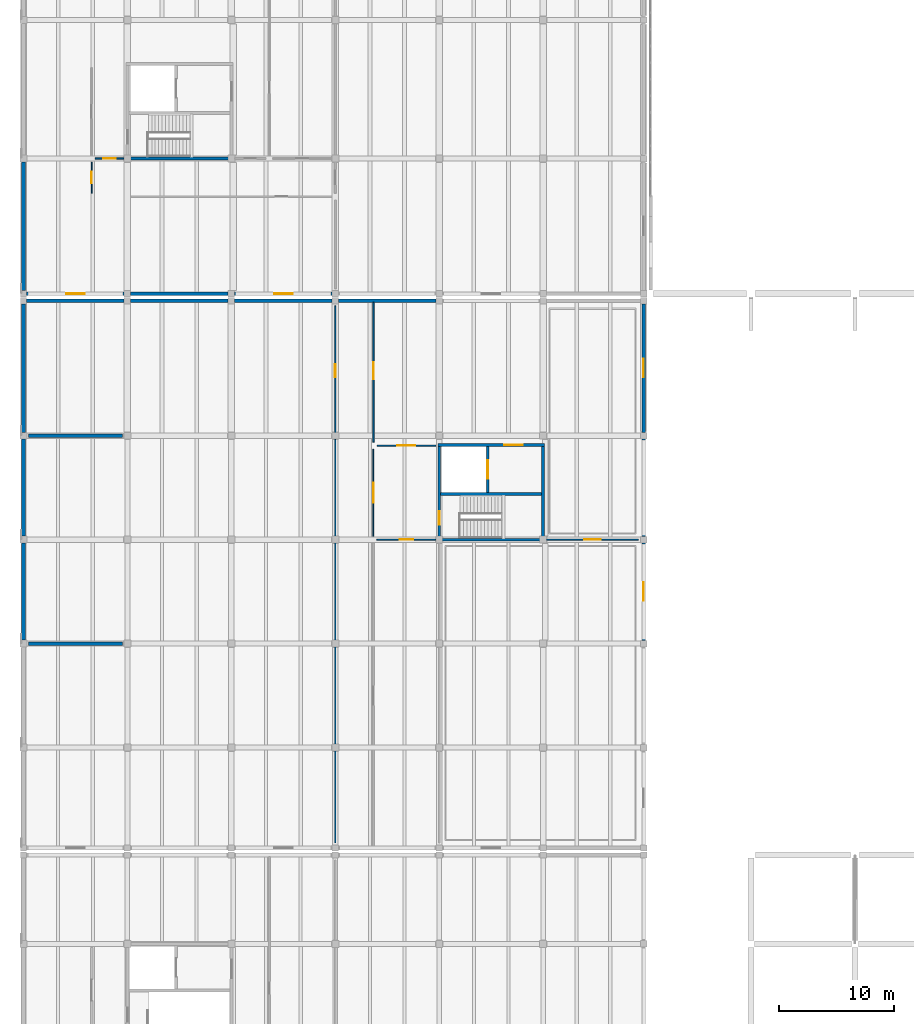
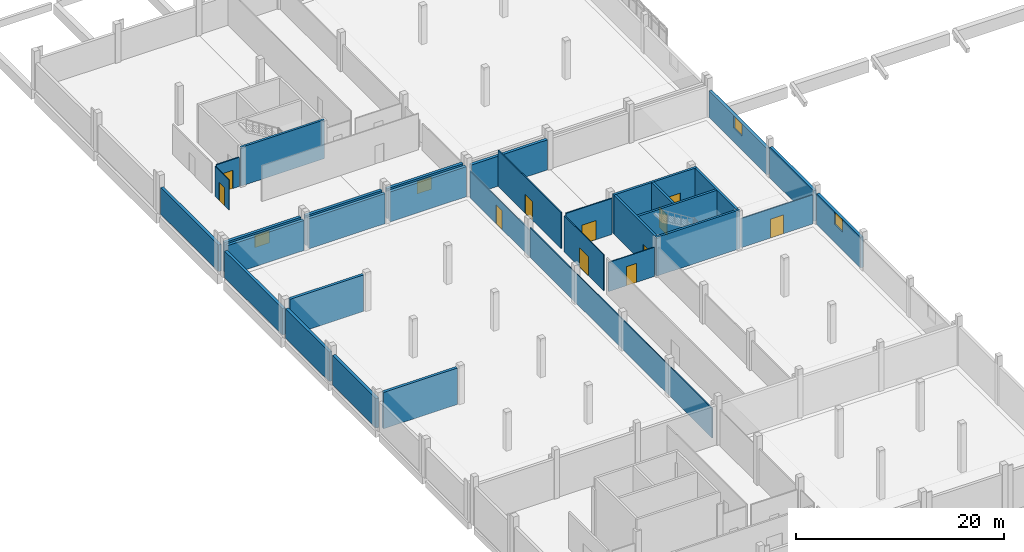
# One storey, part 37 of 63: 32 walls, 11 doors, 4 windows, 15 openings.
"""IFC4 building model written with IfcOpenShell, lengths in metres."""

from ifc_helpers import new_model, si_unit, direction, frame, frame_2d, origin, place, context, subcontext, project, spatial, rectangle, extrude, material, layer, layer_set, type_object, element, fill, save


model = new_model("IFC4")

# Units and contexts
model_context = context("Model", 3, precision=1e-05, world=origin(), true_north=direction((0.0, 1.0)))
body_context = subcontext(model_context, "Body", "Model", "MODEL_VIEW")
ifc_project = project(units=[si_unit("LENGTHUNIT", "METRE"), si_unit("AREAUNIT", "SQUARE_METRE"), si_unit("VOLUMEUNIT", "CUBIC_METRE"), si_unit("PLANEANGLEUNIT", "RADIAN"), si_unit("MASSUNIT", "GRAM", prefix="KILO")], contexts=[model_context])

# Site, building, storey
site_placement = place(None, origin())
site = spatial("IfcSite", under=ifc_project, at=site_placement, CompositionType="ELEMENT")
building_placement = place(site_placement, origin())
building = spatial("IfcBuilding", under=site, at=building_placement, Name="Zacnel Wholesale Market", CompositionType="ELEMENT")
storey_placement = place(building_placement, frame((0.0, 0.0, 11.199951171875)))
storey = spatial("IfcBuildingStorey", under=building, at=storey_placement, Name="L03", CompositionType="ELEMENT", Elevation=11.199951171875)

# Wall
ifc_material_1 = material(Name="Concrete C40/50", Category="concrete")
ifc_layer_1 = layer(ifc_material_1, 0.25)
ifc_layer_set_1 = layer_set([ifc_layer_1], Name="Concrete C40/50")
wall_type_1 = type_object("IfcWallType", Name="WL-CORE-SW250", PredefinedType="SOLIDWALL", material=ifc_layer_set_1)
wall_1_placement = place(storey_placement, frame((53.875, 75.0, 0.0), z_axis=(0.0, 0.0, 1.0), x_axis=(1.0, 0.0, 0.0)))
element("IfcWall", 1, at=wall_1_placement, inside=storey, type_object=wall_type_1, Name="Core C4 south shear wall L03", PredefinedType="SOLIDWALL", context=body_context, shape_type="SweptSolid", body=[
    extrude(rectangle(XDim=9.25, YDim=0.25, at=frame_2d((4.625, 0.0))), origin(), (0.0, 0.0, 1.0), 4.550048828125),
])

# Wall, opening, door
wall_2_placement = place(storey_placement, frame((53.875, 83.199951171875, 0.0), z_axis=(0.0, 0.0, 1.0), x_axis=(1.0, 0.0, 0.0)))
wall_2 = element("IfcWall", 2, at=wall_2_placement, inside=storey, type_object=wall_type_1, Name="Core C4 north shear wall L03", PredefinedType="SOLIDWALL", context=body_context, shape_type="SweptSolid", body=[
    extrude(rectangle(XDim=9.25, YDim=0.25, at=frame_2d((4.625, 0.0))), origin(), (0.0, 0.0, 1.0), 4.550048828125),
])
opening_1_placement = place(wall_2_placement, frame((5.77490234375, 0.0, 0.0)))
opening_1 = element("IfcOpeningElement", 3, at=opening_1_placement, cuts=wall_2, Name="Opening FD-02", PredefinedType="OPENING", context=body_context, shape_type="SweptSolid", body=[
    extrude(rectangle(XDim=1.60009765625, YDim=2.199951171875, at=frame_2d((0.800048828125, 1.10009765625))), frame((0.0, 0.135009765625, 0.0), z_axis=(0.0, -1.0, 0.0), x_axis=(1.0, 0.0, 0.0)), (0.0, 0.0, 1.0), 0.27001953125),
])
ifc_material_2 = material(Name="Galvanized steel", Category="steel")
door_type_1 = type_object("IfcDoorType", Name="DR-FIRE-LOBBY-1600", OperationType="NOTDEFINED", PredefinedType="DOOR", material=ifc_material_2)
door_1_placement = place(opening_1_placement, origin())
door_1 = element("IfcDoor", 4, at=door_1_placement, inside=storey, type_object=door_type_1, Name="Core lift lobby fire door C4 L03", OperationType="SINGLE_SWING_RIGHT", OverallHeight=2.199951171875, OverallWidth=1.60009765625, PredefinedType="DOOR", context=body_context, shape_type="SweptSolid", body=[
    extrude(rectangle(XDim=1.60009765625, YDim=2.199951171875, at=frame_2d((0.800048828125, 1.10009765625))), frame((0.0, 0.02490234375, 0.0), z_axis=(0.0, -1.0, 0.0), x_axis=(1.0, 0.0, 0.0)), (0.0, 0.0, 1.0), 0.050048828125),
])
fill(opening_1, door_1)

wall_3_placement = place(storey_placement, frame((54.0, 75.125, 0.0), z_axis=(0.0, 0.0, 1.0), x_axis=(0.0, 1.0, 0.0)))
wall_3 = element("IfcWall", 5, at=wall_3_placement, inside=storey, type_object=wall_type_1, Name="Core C4 west shear wall L03", PredefinedType="SOLIDWALL", context=body_context, shape_type="SweptSolid", body=[
    extrude(rectangle(XDim=7.949951171875, YDim=0.25, at=frame_2d((3.97509765625, 0.0))), origin(), (0.0, 0.0, 1.0), 4.550048828125),
])
opening_2_placement = place(wall_3_placement, frame((1.14990234375, 0.0, 0.0)))
opening_2 = element("IfcOpeningElement", 6, at=opening_2_placement, cuts=wall_3, Name="Opening FD-01", PredefinedType="OPENING", context=body_context, shape_type="SweptSolid", body=[
    extrude(rectangle(XDim=1.199951171875, YDim=2.199951171875, at=frame_2d((0.60009765625, 1.10009765625))), frame((0.0, 0.135009765625, 0.0), z_axis=(0.0, -1.0, 0.0), x_axis=(1.0, 0.0, 0.0)), (0.0, 0.0, 1.0), 0.27001953125),
])
ifc_material_3 = material(Name="Galvanized steel", Category="steel")
door_type_2 = type_object("IfcDoorType", Name="DR-FIRE-STAIR-1200", OperationType="NOTDEFINED", PredefinedType="DOOR", material=ifc_material_3)
door_2_placement = place(opening_2_placement, origin())
door_2 = element("IfcDoor", 7, at=door_2_placement, inside=storey, type_object=door_type_2, Name="Protected stair fire door C4 L03", OperationType="SINGLE_SWING_LEFT", OverallHeight=2.199951171875, OverallWidth=1.199951171875, PredefinedType="DOOR", context=body_context, shape_type="SweptSolid", body=[
    extrude(rectangle(XDim=1.199951171875, YDim=2.199951171875, at=frame_2d((0.60009765625, 1.10009765625))), frame((0.0, 0.02490234375, 0.0), z_axis=(0.0, -1.0, 0.0), x_axis=(1.0, 0.0, 0.0)), (0.0, 0.0, 1.0), 0.050048828125),
])
fill(opening_2, door_2)

# Walls
wall_4_placement = place(storey_placement, frame((63.0, 75.125, 0.0), z_axis=(0.0, 0.0, 1.0), x_axis=(0.0, 1.0, 0.0)))
element("IfcWall", 8, at=wall_4_placement, inside=storey, type_object=wall_type_1, Name="Core C4 east shear wall L03", PredefinedType="SOLIDWALL", context=body_context, shape_type="SweptSolid", body=[
    extrude(rectangle(XDim=7.949951171875, YDim=0.25, at=frame_2d((3.97509765625, 0.0))), origin(), (0.0, 0.0, 1.0), 4.550048828125),
])
wall_5_placement = place(storey_placement, frame((54.125, 78.949951171875, 0.0), z_axis=(0.0, 0.0, 1.0), x_axis=(1.0, 0.0, 0.0)))
element("IfcWall", 9, at=wall_5_placement, inside=storey, type_object=wall_type_1, Name="Core C4 stair-shaft shear wall L03", PredefinedType="SOLIDWALL", context=body_context, shape_type="SweptSolid", body=[
    extrude(rectangle(XDim=8.75, YDim=0.25, at=frame_2d((4.375, 0.0))), origin(), (0.0, 0.0, 1.0), 4.550048828125),
])

# Wall, opening, door
wall_6_placement = place(storey_placement, frame((58.199951171875, 79.074951171875, 0.0), z_axis=(0.0, 0.0, 1.0), x_axis=(0.0, 1.0, 0.0)))
wall_6 = element("IfcWall", 10, at=wall_6_placement, inside=storey, type_object=wall_type_1, Name="Core C4 lift shaft front wall L03", PredefinedType="SOLIDWALL", context=body_context, shape_type="SweptSolid", body=[
    extrude(rectangle(XDim=4.0, YDim=0.25, at=frame_2d((2.0, 0.0))), origin(), (0.0, 0.0, 1.0), 4.550048828125),
])
opening_3_placement = place(wall_6_placement, frame((1.199951171875, 0.0, 0.0)))
opening_3 = element("IfcOpeningElement", 11, at=opening_3_placement, cuts=wall_6, Name="Opening LD-02", PredefinedType="OPENING", context=body_context, shape_type="SweptSolid", body=[
    extrude(rectangle(XDim=1.60009765625, YDim=2.39990234375, at=frame_2d((0.800048828125, 1.199951171875))), frame((0.0, 0.135009765625, 0.0), z_axis=(0.0, -1.0, 0.0), x_axis=(1.0, 0.0, 0.0)), (0.0, 0.0, 1.0), 0.27001953125),
])
ifc_material_4 = material(Name="Galvanized steel", Category="steel")
door_type_3 = type_object("IfcDoorType", Name="DR-LIFT-GOODS-1600", OperationType="NOTDEFINED", PredefinedType="DOOR", material=ifc_material_4)
door_3_placement = place(opening_3_placement, origin())
door_3 = element("IfcDoor", 12, at=door_3_placement, inside=storey, type_object=door_type_3, Name="Lift landing door LG-02 L03", OperationType="SLIDING_TO_LEFT", OverallHeight=2.39990234375, OverallWidth=1.60009765625, PredefinedType="DOOR", context=body_context, shape_type="SweptSolid", body=[
    extrude(rectangle(XDim=1.60009765625, YDim=2.39990234375, at=frame_2d((0.800048828125, 1.199951171875))), frame((0.0, 0.02490234375, 0.0), z_axis=(0.0, -1.0, 0.0), x_axis=(1.0, 0.0, 0.0)), (0.0, 0.0, 1.0), 0.050048828125),
])
fill(opening_3, door_3)

# Walls
wall_7_placement = place(storey_placement, frame((26.875, 108.0, 0.0), z_axis=(0.0, 0.0, 1.0), x_axis=(1.0, 0.0, 0.0)))
element("IfcWall", 13, at=wall_7_placement, inside=storey, type_object=wall_type_1, Name="Core C5 south shear wall L03", PredefinedType="SOLIDWALL", context=body_context, shape_type="SweptSolid", body=[
    extrude(rectangle(XDim=9.25, YDim=0.25, at=frame_2d((4.625, 0.0))), origin(), (0.0, 0.0, 1.0), 4.550048828125),
])
ifc_material_5 = material(Name="Precast concrete C40/50 (insulated sandwich panel)", Category="concrete")
ifc_layer_2 = layer(ifc_material_5, 0.320068359375)
ifc_layer_set_2 = layer_set([ifc_layer_2], Name="Precast concrete C40/50 (insulated sandwich panel)")
wall_type_2 = type_object("IfcWallType", Name="WL-EXT-COLD-320", PredefinedType="SOLIDWALL", material=ifc_layer_set_2)
for number, where, z_axis, x_axis, name in (
    (14, (18.27490234375, 95.699951171875, 0.0), (0.0, 0.0, 1.0), (1.0, 0.0, 0.0), "Exterior wall L03-0333"),
    (15, (27.27490234375, 95.699951171875, 0.0), (0.0, 0.0, 1.0), (1.0, 0.0, 0.0), "Exterior wall L03-0334"),
    (16, (36.27490234375, 95.699951171875, 0.0), (0.0, 0.0, 1.0), (1.0, 0.0, 0.0), "Exterior wall L03-0335"),
    (17, (45.27490234375, 95.699951171875, 0.0), (0.0, 0.0, 1.0), (1.0, 0.0, 0.0), "Exterior wall L03-0336"),
):
    element("IfcWall", number, at=place(storey_placement, frame(where, z_axis=z_axis, x_axis=x_axis)), inside=storey, type_object=wall_type_2, Name=name, PredefinedType="SOLIDWALL", context=body_context, shape_type="SweptSolid", body=[
        extrude(rectangle(XDim=8.4501953125, YDim=0.320068359375, at=frame_2d((4.22509765625, 0.0))), origin(), (0.0, 0.0, 1.0), 3.52001953125),
    ])
for number, where, z_axis, x_axis, name in (
    (18, (18.0, 66.300048828125, 0.0), (0.0, 0.0, 1.0), (0.0, 1.0, 0.0), "Exterior wall L03-0341"),
    (19, (18.0, 75.300048828125, 0.0), (0.0, 0.0, 1.0), (0.0, 1.0, 0.0), "Exterior wall L03-0342"),
):
    element("IfcWall", number, at=place(storey_placement, frame(where, z_axis=z_axis, x_axis=x_axis)), inside=storey, type_object=wall_type_2, Name=name, PredefinedType="SOLIDWALL", context=body_context, shape_type="SweptSolid", body=[
        extrude(rectangle(XDim=8.39990234375, YDim=0.320068359375, at=frame_2d((4.199951171875, 0.0))), origin(), (0.0, 0.0, 1.0), 3.469970703125),
    ])
wall_8_placement = place(storey_placement, frame((18.0, 84.300048828125, 0.0), z_axis=(0.0, 0.0, 1.0), x_axis=(0.0, 1.0, 0.0)))
element("IfcWall", 20, at=wall_8_placement, inside=storey, type_object=wall_type_2, Name="Exterior wall L03-0343", PredefinedType="SOLIDWALL", context=body_context, shape_type="SweptSolid", body=[
    extrude(rectangle(XDim=11.125, YDim=0.320068359375, at=frame_2d((5.5625, 0.0))), origin(), (0.0, 0.0, 1.0), 3.1201171875),
])

# Wall, opening, window
wall_9_placement = place(storey_placement, frame((71.699951171875, 66.27490234375, 0.0), z_axis=(0.0, 0.0, 1.0), x_axis=(0.0, 1.0, 0.0)))
wall_9 = element("IfcWall", 21, at=wall_9_placement, inside=storey, type_object=wall_type_2, Name="Exterior wall L03-0346", PredefinedType="SOLIDWALL", context=body_context, shape_type="SweptSolid", body=[
    extrude(rectangle(XDim=8.4501953125, YDim=0.320068359375, at=frame_2d((4.22509765625, 0.0))), origin(), (0.0, 0.0, 1.0), 3.590087890625),
])
opening_4_placement = place(wall_9_placement, frame((3.425048828125, 0.0, 2.10009765625)))
opening_4 = element("IfcOpeningElement", 22, at=opening_4_placement, cuts=wall_9, Name="Opening W-06", PredefinedType="OPENING", context=body_context, shape_type="SweptSolid", body=[
    extrude(rectangle(XDim=1.60009765625, YDim=1.449951171875, at=frame_2d((0.800048828125, 0.72509765625))), frame((0.0, 0.169921875, 0.0), z_axis=(0.0, -1.0, 0.0), x_axis=(1.0, 0.0, 0.0)), (0.0, 0.0, 1.0), 0.340087890625),
])
ifc_material_6 = material(Name="Laminated hurricane-impact low-E insulated glass", Category="glass")
window_type = type_object("IfcWindowType", Name="WIN-HIG-1600X1450", PartitioningType="DOUBLE_PANEL_HORIZONTAL", PredefinedType="WINDOW", material=ifc_material_6)
window_1_placement = place(opening_4_placement, origin())
window_1 = element("IfcWindow", 23, at=window_1_placement, inside=storey, type_object=window_type, Name="Window L03-0360", OverallHeight=1.449951171875, OverallWidth=1.60009765625, PartitioningType="DOUBLE_PANEL_HORIZONTAL", PredefinedType="WINDOW", context=body_context, shape_type="SweptSolid", body=[
    extrude(rectangle(XDim=1.60009765625, YDim=1.449951171875, at=frame_2d((0.800048828125, 0.72509765625))), frame((0.0, 0.030029296875, 0.0), z_axis=(0.0, -1.0, 0.0), x_axis=(1.0, 0.0, 0.0)), (0.0, 0.0, 1.0), 0.06005859375),
])
fill(opening_4, window_1)

# Wall
wall_10_placement = place(storey_placement, frame((71.699951171875, 75.27490234375, 0.0), z_axis=(0.0, 0.0, 1.0), x_axis=(0.0, 1.0, 0.0)))
element("IfcWall", 24, at=wall_10_placement, inside=storey, type_object=wall_type_2, Name="Exterior wall L03-0347", PredefinedType="SOLIDWALL", context=body_context, shape_type="SweptSolid", body=[
    extrude(rectangle(XDim=8.4501953125, YDim=0.320068359375, at=frame_2d((4.22509765625, 0.0))), origin(), (0.0, 0.0, 1.0), 3.590087890625),
])

# Wall, opening, window
wall_11_placement = place(storey_placement, frame((71.699951171875, 84.27490234375, 0.0), z_axis=(0.0, 0.0, 1.0), x_axis=(0.0, 1.0, 0.0)))
wall_11 = element("IfcWall", 25, at=wall_11_placement, inside=storey, type_object=wall_type_2, Name="Exterior wall L03-0348", PredefinedType="SOLIDWALL", context=body_context, shape_type="SweptSolid", body=[
    extrude(rectangle(XDim=11.150146484375, YDim=0.320068359375, at=frame_2d((5.5751953125, 0.0))), origin(), (0.0, 0.0, 1.0), 3.1201171875),
])
opening_5_placement = place(wall_11_placement, frame((4.77490234375, 0.0, 1.6298828125)))
opening_5 = element("IfcOpeningElement", 26, at=opening_5_placement, cuts=wall_11, Name="Opening W-06", PredefinedType="OPENING", context=body_context, shape_type="SweptSolid", body=[
    extrude(rectangle(XDim=1.60009765625, YDim=1.449951171875, at=frame_2d((0.800048828125, 0.72509765625))), frame((0.0, 0.169921875, 0.0), z_axis=(0.0, -1.0, 0.0), x_axis=(1.0, 0.0, 0.0)), (0.0, 0.0, 1.0), 0.340087890625),
])
window_2_placement = place(opening_5_placement, origin())
window_2 = element("IfcWindow", 27, at=window_2_placement, inside=storey, type_object=window_type, Name="Window L03-0361", OverallHeight=1.449951171875, OverallWidth=1.60009765625, PartitioningType="DOUBLE_PANEL_HORIZONTAL", PredefinedType="WINDOW", context=body_context, shape_type="SweptSolid", body=[
    extrude(rectangle(XDim=1.60009765625, YDim=1.449951171875, at=frame_2d((0.800048828125, 0.72509765625))), frame((0.0, 0.030029296875, 0.0), z_axis=(0.0, -1.0, 0.0), x_axis=(1.0, 0.0, 0.0)), (0.0, 0.0, 1.0), 0.06005859375),
])
fill(opening_5, window_2)

wall_12_placement = place(storey_placement, frame((18.27490234375, 96.300048828125, 0.0), z_axis=(0.0, 0.0, 1.0), x_axis=(1.0, 0.0, 0.0)))
wall_12 = element("IfcWall", 28, at=wall_12_placement, inside=storey, type_object=wall_type_2, Name="Exterior wall L03-0349", PredefinedType="SOLIDWALL", context=body_context, shape_type="SweptSolid", body=[
    extrude(rectangle(XDim=8.4501953125, YDim=0.320068359375, at=frame_2d((4.22509765625, 0.0))), origin(), (0.0, 0.0, 1.0), 3.52001953125),
])
opening_6_placement = place(wall_12_placement, frame((3.425048828125, 0.0, 1.6298828125)))
opening_6 = element("IfcOpeningElement", 29, at=opening_6_placement, cuts=wall_12, Name="Opening W-06", PredefinedType="OPENING", context=body_context, shape_type="SweptSolid", body=[
    extrude(rectangle(XDim=1.60009765625, YDim=1.449951171875, at=frame_2d((0.800048828125, 0.72509765625))), frame((0.0, 0.169921875, 0.0), z_axis=(0.0, -1.0, 0.0), x_axis=(1.0, 0.0, 0.0)), (0.0, 0.0, 1.0), 0.340087890625),
])
window_3_placement = place(opening_6_placement, origin())
window_3 = element("IfcWindow", 30, at=window_3_placement, inside=storey, type_object=window_type, Name="Window L03-0362", OverallHeight=1.449951171875, OverallWidth=1.60009765625, PartitioningType="DOUBLE_PANEL_HORIZONTAL", PredefinedType="WINDOW", context=body_context, shape_type="SweptSolid", body=[
    extrude(rectangle(XDim=1.60009765625, YDim=1.449951171875, at=frame_2d((0.800048828125, 0.72509765625))), frame((0.0, 0.030029296875, 0.0), z_axis=(0.0, -1.0, 0.0), x_axis=(1.0, 0.0, 0.0)), (0.0, 0.0, 1.0), 0.06005859375),
])
fill(opening_6, window_3)

# Wall
wall_13_placement = place(storey_placement, frame((27.27490234375, 96.300048828125, 0.0), z_axis=(0.0, 0.0, 1.0), x_axis=(1.0, 0.0, 0.0)))
element("IfcWall", 31, at=wall_13_placement, inside=storey, type_object=wall_type_2, Name="Exterior wall L03-0350", PredefinedType="SOLIDWALL", context=body_context, shape_type="SweptSolid", body=[
    extrude(rectangle(XDim=8.4501953125, YDim=0.320068359375, at=frame_2d((4.22509765625, 0.0))), origin(), (0.0, 0.0, 1.0), 3.52001953125),
])

# Wall, opening, window
wall_14_placement = place(storey_placement, frame((36.27490234375, 96.300048828125, 0.0), z_axis=(0.0, 0.0, 1.0), x_axis=(1.0, 0.0, 0.0)))
wall_14 = element("IfcWall", 32, at=wall_14_placement, inside=storey, type_object=wall_type_2, Name="Exterior wall L03-0351", PredefinedType="SOLIDWALL", context=body_context, shape_type="SweptSolid", body=[
    extrude(rectangle(XDim=8.4501953125, YDim=0.320068359375, at=frame_2d((4.22509765625, 0.0))), origin(), (0.0, 0.0, 1.0), 3.52001953125),
])
opening_7_placement = place(wall_14_placement, frame((3.425048828125, 0.0, 1.6298828125)))
opening_7 = element("IfcOpeningElement", 33, at=opening_7_placement, cuts=wall_14, Name="Opening W-06", PredefinedType="OPENING", context=body_context, shape_type="SweptSolid", body=[
    extrude(rectangle(XDim=1.60009765625, YDim=1.449951171875, at=frame_2d((0.800048828125, 0.72509765625))), frame((0.0, 0.169921875, 0.0), z_axis=(0.0, -1.0, 0.0), x_axis=(1.0, 0.0, 0.0)), (0.0, 0.0, 1.0), 0.340087890625),
])
window_4_placement = place(opening_7_placement, origin())
window_4 = element("IfcWindow", 34, at=window_4_placement, inside=storey, type_object=window_type, Name="Window L03-0363", OverallHeight=1.449951171875, OverallWidth=1.60009765625, PartitioningType="DOUBLE_PANEL_HORIZONTAL", PredefinedType="WINDOW", context=body_context, shape_type="SweptSolid", body=[
    extrude(rectangle(XDim=1.60009765625, YDim=1.449951171875, at=frame_2d((0.800048828125, 0.72509765625))), frame((0.0, 0.030029296875, 0.0), z_axis=(0.0, -1.0, 0.0), x_axis=(1.0, 0.0, 0.0)), (0.0, 0.0, 1.0), 0.06005859375),
])
fill(opening_7, window_4)

# Wall
wall_15_placement = place(storey_placement, frame((18.0, 96.574951171875, 0.0), z_axis=(0.0, 0.0, 1.0), x_axis=(0.0, 1.0, 0.0)))
element("IfcWall", 35, at=wall_15_placement, inside=storey, type_object=wall_type_2, Name="Exterior wall L03-0361", PredefinedType="SOLIDWALL", context=body_context, shape_type="SweptSolid", body=[
    extrude(rectangle(XDim=11.125, YDim=0.320068359375, at=frame_2d((5.5625, 0.0))), origin(), (0.0, 0.0, 1.0), 3.1201171875),
])

# Wall, opening, door
ifc_material_7 = material(Name="Moisture-resistant gypsum board partition")
ifc_layer_3 = layer(ifc_material_7, 0.10009765625)
ifc_layer_set_3 = layer_set([ifc_layer_3], Name="Moisture-resistant gypsum board partition")
wall_type_3 = type_object("IfcWallType", Name="WL-PART-GYP100", PredefinedType="PARTITIONING", material=ifc_layer_set_3)
wall_16_placement = place(storey_placement, frame((48.300048828125, 75.300048828125, 0.0), z_axis=(0.0, 0.0, 1.0), x_axis=(0.0, 1.0, 0.0)))
wall_16 = element("IfcWall", 36, at=wall_16_placement, inside=storey, type_object=wall_type_3, Name="Interior partition L03-0148", PredefinedType="PARTITIONING", context=body_context, shape_type="SweptSolid", body=[
    extrude(rectangle(XDim=7.550048828125, YDim=0.10009765625, at=frame_2d((3.77490234375, 0.0))), origin(), (0.0, 0.0, 1.0), 4.22998046875),
])
opening_8_placement = place(wall_16_placement, frame((2.905029296875, 0.0, 0.0)))
opening_8 = element("IfcOpeningElement", 37, at=opening_8_placement, cuts=wall_16, Name="Opening ID-15", PredefinedType="OPENING", context=body_context, shape_type="SweptSolid", body=[
    extrude(rectangle(XDim=1.739990234375, YDim=2.280029296875, at=frame_2d((0.8701171875, 1.14013671875))), frame((0.0, 0.06005859375, 0.0), z_axis=(0.0, -1.0, 0.0), x_axis=(1.0, 0.0, 0.0)), (0.0, 0.0, 1.0), 0.1201171875),
])
ifc_material_8 = material(Name="Solid-core tropical hardwood door", Category="wood")
door_type_4 = type_object("IfcDoorType", Name="DR-HALL-DBL-1740", OperationType="NOTDEFINED", PredefinedType="DOOR", material=ifc_material_8)
door_4_placement = place(opening_8_placement, origin())
door_4 = element("IfcDoor", 38, at=door_4_placement, inside=storey, type_object=door_type_4, Name="Interior door L03-0115", OperationType="DOUBLE_DOOR_SINGLE_SWING", OverallHeight=2.280029296875, OverallWidth=1.739990234375, PredefinedType="DOOR", context=body_context, shape_type="SweptSolid", body=[
    extrude(rectangle(XDim=1.739990234375, YDim=2.280029296875, at=frame_2d((0.8701171875, 1.14013671875))), frame((0.0, 0.02490234375, 0.0), z_axis=(0.0, -1.0, 0.0), x_axis=(1.0, 0.0, 0.0)), (0.0, 0.0, 1.0), 0.050048828125),
])
fill(opening_8, door_4)

wall_17_placement = place(storey_placement, frame((48.60009765625, 75.0, 0.0), z_axis=(0.0, 0.0, 1.0), x_axis=(1.0, 0.0, 0.0)))
wall_17 = element("IfcWall", 39, at=wall_17_placement, inside=storey, type_object=wall_type_3, Name="Interior partition L03-0152", PredefinedType="PARTITIONING", context=body_context, shape_type="SweptSolid", body=[
    extrude(rectangle(XDim=5.099853515625, YDim=0.10009765625, at=frame_2d((2.5498046875, 0.0))), origin(), (0.0, 0.0, 1.0), 3.420166015625),
])
opening_9_placement = place(wall_17_placement, frame((1.969970703125, 0.0, 0.0)))
opening_9 = element("IfcOpeningElement", 40, at=opening_9_placement, cuts=wall_17, Name="Opening ID-13", PredefinedType="OPENING", context=body_context, shape_type="SweptSolid", body=[
    extrude(rectangle(XDim=1.159912109375, YDim=2.219970703125, at=frame_2d((0.580078125, 1.10986328125))), frame((0.0, 0.06005859375, 0.0), z_axis=(0.0, -1.0, 0.0), x_axis=(1.0, 0.0, 0.0)), (0.0, 0.0, 1.0), 0.1201171875),
])
ifc_material_9 = material(Name="Solid-core tropical hardwood door", Category="wood")
door_type_5 = type_object("IfcDoorType", Name="DR-LAB-SGL-1160", OperationType="NOTDEFINED", PredefinedType="DOOR", material=ifc_material_9)
door_5_placement = place(opening_9_placement, origin())
door_5 = element("IfcDoor", 41, at=door_5_placement, inside=storey, type_object=door_type_5, Name="Interior door L03-0119", OperationType="SINGLE_SWING_RIGHT", OverallHeight=2.219970703125, OverallWidth=1.159912109375, PredefinedType="DOOR", context=body_context, shape_type="SweptSolid", body=[
    extrude(rectangle(XDim=1.159912109375, YDim=2.219970703125, at=frame_2d((0.580078125, 1.10986328125))), frame((0.0, 0.02490234375, 0.0), z_axis=(0.0, -1.0, 0.0), x_axis=(1.0, 0.0, 0.0)), (0.0, 0.0, 1.0), 0.050048828125),
])
fill(opening_9, door_5)

wall_18_placement = place(storey_placement, frame((23.89990234375, 105.0, 0.0), z_axis=(0.0, 0.0, 1.0), x_axis=(0.0, 1.0, 0.0)))
wall_18 = element("IfcWall", 42, at=wall_18_placement, inside=storey, type_object=wall_type_3, Name="Interior partition L03-0160", PredefinedType="PARTITIONING", context=body_context, shape_type="SweptSolid", body=[
    extrude(rectangle(XDim=2.699951171875, YDim=0.10009765625, at=frame_2d((1.35009765625, 0.0))), origin(), (0.0, 0.0, 1.0), 3.52001953125),
])
opening_10_placement = place(wall_18_placement, frame((0.85009765625, 0.0, 0.0)))
opening_10 = element("IfcOpeningElement", 43, at=opening_10_placement, cuts=wall_18, Name="Opening ID-03", PredefinedType="OPENING", context=body_context, shape_type="SweptSolid", body=[
    extrude(rectangle(XDim=1.0, YDim=2.14990234375, at=frame_2d((0.5, 1.074951171875))), frame((0.0, 0.06005859375, 0.0), z_axis=(0.0, -1.0, 0.0), x_axis=(1.0, 0.0, 0.0)), (0.0, 0.0, 1.0), 0.1201171875),
])
ifc_material_10 = material(Name="Solid-core tropical hardwood door", Category="wood")
door_type_6 = type_object("IfcDoorType", Name="DR-OFF-SGL-1000", OperationType="NOTDEFINED", PredefinedType="DOOR", material=ifc_material_10)
door_6_placement = place(opening_10_placement, origin())
door_6 = element("IfcDoor", 44, at=door_6_placement, inside=storey, type_object=door_type_6, Name="Interior door L03-0126", OperationType="SINGLE_SWING_LEFT", OverallHeight=2.14990234375, OverallWidth=1.0, PredefinedType="DOOR", context=body_context, shape_type="SweptSolid", body=[
    extrude(rectangle(XDim=1.0, YDim=2.14990234375, at=frame_2d((0.5, 1.074951171875))), frame((0.0, 0.02490234375, 0.0), z_axis=(0.0, -1.0, 0.0), x_axis=(1.0, 0.0, 0.0)), (0.0, 0.0, 1.0), 0.050048828125),
])
fill(opening_10, door_6)

# Wall
ifc_material_11 = material(Name="Moisture-resistant gypsum board partition")
ifc_layer_4 = layer(ifc_material_11, 0.110107421875)
ifc_layer_set_4 = layer_set([ifc_layer_4], Name="Moisture-resistant gypsum board partition")
wall_type_4 = type_object("IfcWallType", Name="WL-PART-GYP110", PredefinedType="PARTITIONING", material=ifc_layer_set_4)
wall_19_placement = place(storey_placement, frame((45.0, 48.75, 0.0), z_axis=(0.0, 0.0, 1.0), x_axis=(0.0, 1.0, 0.0)))
element("IfcWall", 45, at=wall_19_placement, inside=storey, type_object=wall_type_4, Name="Interior partition L03-0151", PredefinedType="PARTITIONING", context=body_context, shape_type="SweptSolid", body=[
    extrude(rectangle(XDim=34.949951171875, YDim=0.110107421875, at=frame_2d((17.47509765625, 0.0))), origin(), (0.0, 0.0, 1.0), 3.469970703125),
])

# Wall, opening, door
wall_20_placement = place(storey_placement, frame((63.300048828125, 75.0, 0.0), z_axis=(0.0, 0.0, 1.0), x_axis=(1.0, 0.0, 0.0)))
wall_20 = element("IfcWall", 46, at=wall_20_placement, inside=storey, type_object=wall_type_4, Name="Interior partition L03-0155", PredefinedType="PARTITIONING", context=body_context, shape_type="SweptSolid", body=[
    extrude(rectangle(XDim=7.949951171875, YDim=0.110107421875, at=frame_2d((3.97509765625, 0.0))), origin(), (0.0, 0.0, 1.0), 3.420166015625),
])
opening_11_placement = place(wall_20_placement, frame((3.25, 0.0, 0.0)))
opening_11 = element("IfcOpeningElement", 47, at=opening_11_placement, cuts=wall_20, Name="Opening ID-06", PredefinedType="OPENING", context=body_context, shape_type="SweptSolid", body=[
    extrude(rectangle(XDim=1.449951171875, YDim=2.199951171875, at=frame_2d((0.72509765625, 1.10009765625))), frame((0.0, 0.06494140625, 0.0), z_axis=(0.0, -1.0, 0.0), x_axis=(1.0, 0.0, 0.0)), (0.0, 0.0, 1.0), 0.130126953125),
])
ifc_material_12 = material(Name="Solid-core tropical hardwood door", Category="wood")
door_type_7 = type_object("IfcDoorType", Name="DR-LAB-DBL-1450", OperationType="NOTDEFINED", PredefinedType="DOOR", material=ifc_material_12)
door_7_placement = place(opening_11_placement, origin())
door_7 = element("IfcDoor", 48, at=door_7_placement, inside=storey, type_object=door_type_7, Name="Interior door L03-0121", OperationType="SINGLE_SWING_RIGHT", OverallHeight=2.199951171875, OverallWidth=1.449951171875, PredefinedType="DOOR", context=body_context, shape_type="SweptSolid", body=[
    extrude(rectangle(XDim=1.449951171875, YDim=2.199951171875, at=frame_2d((0.72509765625, 1.10009765625))), frame((0.0, 0.02490234375, 0.0), z_axis=(0.0, -1.0, 0.0), x_axis=(1.0, 0.0, 0.0)), (0.0, 0.0, 1.0), 0.050048828125),
])
fill(opening_11, door_7)

wall_21_placement = place(storey_placement, frame((45.0, 83.699951171875, 0.0), z_axis=(0.0, 0.0, 1.0), x_axis=(0.0, 1.0, 0.0)))
wall_21 = element("IfcWall", 49, at=wall_21_placement, inside=storey, type_object=wall_type_4, Name="Interior partition L03-0151 part 2", PredefinedType="PARTITIONING", context=body_context, shape_type="SweptSolid", body=[
    extrude(rectangle(XDim=11.550048828125, YDim=0.110107421875, at=frame_2d((5.77490234375, 0.0))), origin(), (0.0, 0.0, 1.0), 3.1201171875),
])
opening_12_placement = place(wall_21_placement, frame((5.364990234375, 0.0, 0.0)))
opening_12 = element("IfcOpeningElement", 50, at=opening_12_placement, cuts=wall_21, Name="Opening ID-05", PredefinedType="OPENING", context=body_context, shape_type="SweptSolid", body=[
    extrude(rectangle(XDim=1.1201171875, YDim=2.199951171875, at=frame_2d((0.56005859375, 1.10009765625))), frame((0.0, 0.06494140625, 0.0), z_axis=(0.0, -1.0, 0.0), x_axis=(1.0, 0.0, 0.0)), (0.0, 0.0, 1.0), 0.130126953125),
])
ifc_material_13 = material(Name="Solid-core tropical hardwood door", Category="wood")
door_type_8 = type_object("IfcDoorType", Name="DR-LAB-SGL-1120", OperationType="NOTDEFINED", PredefinedType="DOOR", material=ifc_material_13)
door_8_placement = place(opening_12_placement, origin())
door_8 = element("IfcDoor", 51, at=door_8_placement, inside=storey, type_object=door_type_8, Name="Interior door L03-0118", OperationType="SINGLE_SWING_LEFT", OverallHeight=2.199951171875, OverallWidth=1.1201171875, PredefinedType="DOOR", context=body_context, shape_type="SweptSolid", body=[
    extrude(rectangle(XDim=1.1201171875, YDim=2.199951171875, at=frame_2d((0.56005859375, 1.10009765625))), frame((0.0, 0.02490234375, 0.0), z_axis=(0.0, -1.0, 0.0), x_axis=(1.0, 0.0, 0.0)), (0.0, 0.0, 1.0), 0.050048828125),
])
fill(opening_12, door_8)

ifc_material_14 = material(Name="Moisture-resistant gypsum board partition")
ifc_layer_5 = layer(ifc_material_14, 0.125)
ifc_layer_set_5 = layer_set([ifc_layer_5], Name="Moisture-resistant gypsum board partition")
wall_type_5 = type_object("IfcWallType", Name="WL-PART-GYP125", PredefinedType="PARTITIONING", material=ifc_layer_set_5)
wall_22_placement = place(storey_placement, frame((48.300048828125, 83.449951171875, 0.0), z_axis=(0.0, 0.0, 1.0), x_axis=(0.0, 1.0, 0.0)))
wall_22 = element("IfcWall", 52, at=wall_22_placement, inside=storey, type_object=wall_type_5, Name="Interior partition L03-0150", PredefinedType="PARTITIONING", context=body_context, shape_type="SweptSolid", body=[
    extrude(rectangle(XDim=12.110107421875, YDim=0.125, at=frame_2d((6.05517578125, 0.0))), origin(), (0.0, 0.0, 1.0), 4.22998046875),
])
opening_13_placement = place(wall_22_placement, frame((5.449951171875, 0.0, 0.0)))
opening_13 = element("IfcOpeningElement", 53, at=opening_13_placement, cuts=wall_22, Name="Opening ID-06", PredefinedType="OPENING", context=body_context, shape_type="SweptSolid", body=[
    extrude(rectangle(XDim=1.449951171875, YDim=2.199951171875, at=frame_2d((0.72509765625, 1.10009765625))), frame((0.0, 0.072509765625, 0.0), z_axis=(0.0, -1.0, 0.0), x_axis=(1.0, 0.0, 0.0)), (0.0, 0.0, 1.0), 0.14501953125),
])
door_9_placement = place(opening_13_placement, origin())
door_9 = element("IfcDoor", 54, at=door_9_placement, inside=storey, type_object=door_type_7, Name="Interior door L03-0117", OperationType="SINGLE_SWING_RIGHT", OverallHeight=2.199951171875, OverallWidth=1.449951171875, PredefinedType="DOOR", context=body_context, shape_type="SweptSolid", body=[
    extrude(rectangle(XDim=1.449951171875, YDim=2.199951171875, at=frame_2d((0.72509765625, 1.10009765625))), frame((0.0, 0.02490234375, 0.0), z_axis=(0.0, -1.0, 0.0), x_axis=(1.0, 0.0, 0.0)), (0.0, 0.0, 1.0), 0.050048828125),
])
fill(opening_13, door_9)

ifc_material_15 = material(Name="Moisture-resistant gypsum board partition")
ifc_layer_6 = layer(ifc_material_15, 0.139892578125)
ifc_layer_set_6 = layer_set([ifc_layer_6], Name="Moisture-resistant gypsum board partition")
wall_type_6 = type_object("IfcWallType", Name="WL-PART-GYP140", PredefinedType="PARTITIONING", material=ifc_layer_set_6)
wall_23_placement = place(storey_placement, frame((48.60009765625, 83.14990234375, 0.0), z_axis=(0.0, 0.0, 1.0), x_axis=(1.0, 0.0, 0.0)))
wall_23 = element("IfcWall", 55, at=wall_23_placement, inside=storey, type_object=wall_type_6, Name="Interior partition L03-0153", PredefinedType="PARTITIONING", context=body_context, shape_type="SweptSolid", body=[
    extrude(rectangle(XDim=5.099853515625, YDim=0.139892578125, at=frame_2d((2.5498046875, 0.0))), origin(), (0.0, 0.0, 1.0), 4.22998046875),
])
opening_14_placement = place(wall_23_placement, frame((1.77001953125, 0.0, 0.0)))
opening_14 = element("IfcOpeningElement", 56, at=opening_14_placement, cuts=wall_23, Name="Opening ID-14", PredefinedType="OPENING", context=body_context, shape_type="SweptSolid", body=[
    extrude(rectangle(XDim=1.56005859375, YDim=2.239990234375, at=frame_2d((0.780029296875, 1.1201171875))), frame((0.0, 0.079833984375, 0.0), z_axis=(0.0, -1.0, 0.0), x_axis=(1.0, 0.0, 0.0)), (0.0, 0.0, 1.0), 0.159912109375),
])
ifc_material_16 = material(Name="Solid-core tropical hardwood door", Category="wood")
door_type_9 = type_object("IfcDoorType", Name="DR-LAB-DBL-1560", OperationType="NOTDEFINED", PredefinedType="DOOR", material=ifc_material_16)
door_10_placement = place(opening_14_placement, origin())
door_10 = element("IfcDoor", 57, at=door_10_placement, inside=storey, type_object=door_type_9, Name="Interior door L03-0120", OperationType="SINGLE_SWING_LEFT", OverallHeight=2.239990234375, OverallWidth=1.56005859375, PredefinedType="DOOR", context=body_context, shape_type="SweptSolid", body=[
    extrude(rectangle(XDim=1.56005859375, YDim=2.239990234375, at=frame_2d((0.780029296875, 1.1201171875))), frame((0.0, 0.02490234375, 0.0), z_axis=(0.0, -1.0, 0.0), x_axis=(1.0, 0.0, 0.0)), (0.0, 0.0, 1.0), 0.050048828125),
])
fill(opening_14, door_10)

wall_24_placement = place(storey_placement, frame((24.199951171875, 108.0, 0.0), z_axis=(0.0, 0.0, 1.0), x_axis=(1.0, 0.0, 0.0)))
wall_24 = element("IfcWall", 58, at=wall_24_placement, inside=storey, type_object=wall_type_6, Name="Interior partition L03-0157", PredefinedType="PARTITIONING", context=body_context, shape_type="SweptSolid", body=[
    extrude(rectangle(XDim=2.5, YDim=0.139892578125, at=frame_2d((1.25, 0.0))), origin(), (0.0, 0.0, 1.0), 3.420166015625),
])
opening_15_placement = place(wall_24_placement, frame((0.7099609375, 0.0, 0.0)))
opening_15 = element("IfcOpeningElement", 59, at=opening_15_placement, cuts=wall_24, Name="Opening ID-10", PredefinedType="OPENING", context=body_context, shape_type="SweptSolid", body=[
    extrude(rectangle(XDim=1.080078125, YDim=2.14990234375, at=frame_2d((0.5400390625, 1.074951171875))), frame((0.0, 0.079833984375, 0.0), z_axis=(0.0, -1.0, 0.0), x_axis=(1.0, 0.0, 0.0)), (0.0, 0.0, 1.0), 0.159912109375),
])
ifc_material_17 = material(Name="Galvanized steel", Category="steel")
door_type_10 = type_object("IfcDoorType", Name="DR-STR-SGL-1080", OperationType="NOTDEFINED", PredefinedType="DOOR", material=ifc_material_17)
door_11_placement = place(opening_15_placement, origin())
door_11 = element("IfcDoor", 60, at=door_11_placement, inside=storey, type_object=door_type_10, Name="Interior door L03-0123", OperationType="SINGLE_SWING_RIGHT", OverallHeight=2.14990234375, OverallWidth=1.080078125, PredefinedType="DOOR", context=body_context, shape_type="SweptSolid", body=[
    extrude(rectangle(XDim=1.080078125, YDim=2.14990234375, at=frame_2d((0.5400390625, 1.074951171875))), frame((0.0, 0.02490234375, 0.0), z_axis=(0.0, -1.0, 0.0), x_axis=(1.0, 0.0, 0.0)), (0.0, 0.0, 1.0), 0.050048828125),
])
fill(opening_15, door_11)

# Walls
ifc_material_18 = material(Name="Concrete C40/50", Category="concrete")
ifc_layer_7 = layer(ifc_material_18, 0.300048828125)
ifc_layer_set_7 = layer_set([ifc_layer_7], Name="Concrete C40/50")
wall_type_7 = type_object("IfcWallType", Name="WL-SHEAR-300", PredefinedType="SHEAR", material=ifc_layer_set_7)
for number, where, z_axis, x_axis, name in (
    (61, (18.419921875, 66.0, 0.0), (0.0, 0.0, 1.0), (1.0, 0.0, 0.0), "Lateral RC shear wall 05"),
    (62, (18.419921875, 84.0, 0.0), (0.0, 0.0, 1.0), (1.0, 0.0, 0.0), "Lateral RC shear wall 06"),
):
    element("IfcWall", number, at=place(storey_placement, frame(where, z_axis=z_axis, x_axis=x_axis)), inside=storey, type_object=wall_type_7, Name=name, PredefinedType="SHEAR", context=body_context, shape_type="SweptSolid", body=[
        extrude(rectangle(XDim=8.16015625, YDim=0.300048828125, at=frame_2d((4.080078125, 0.0))), origin(), (0.0, 0.0, 1.0), 4.27001953125),
    ])

save(model, "model.ifc")
